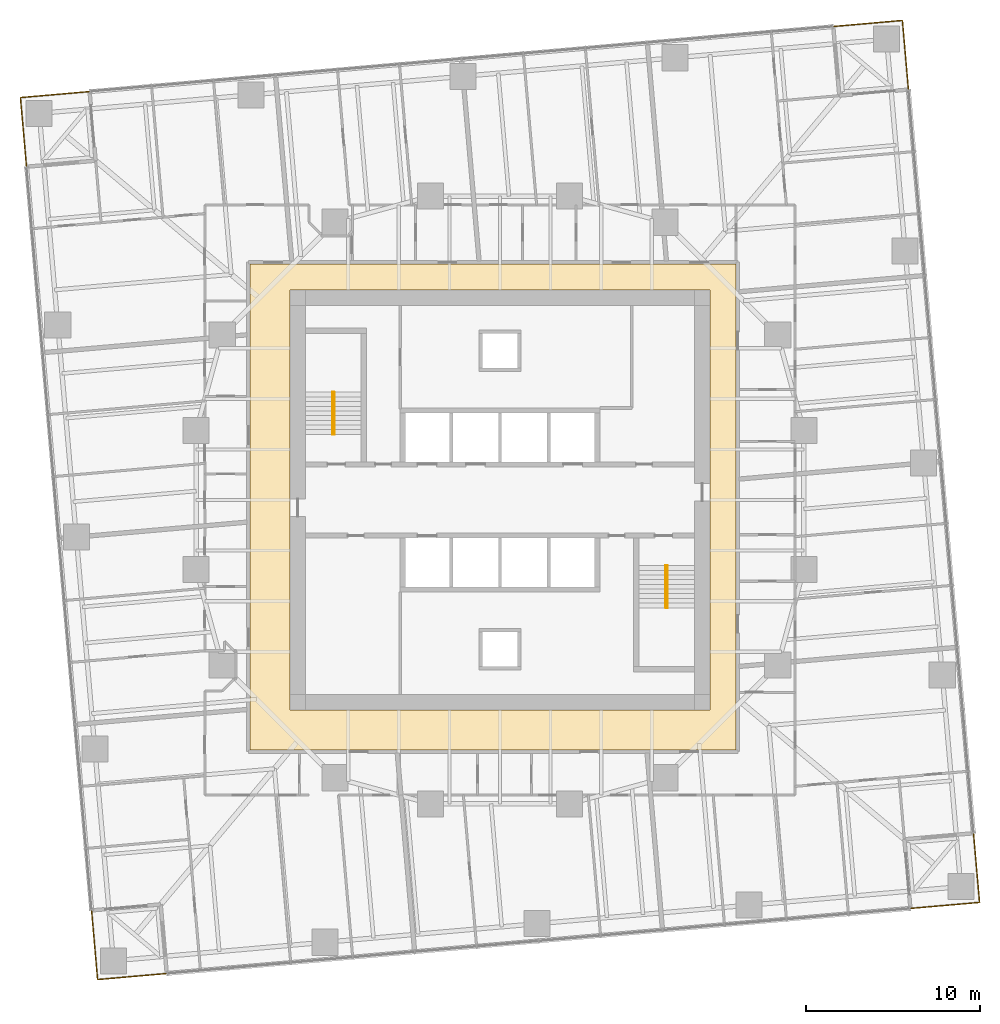
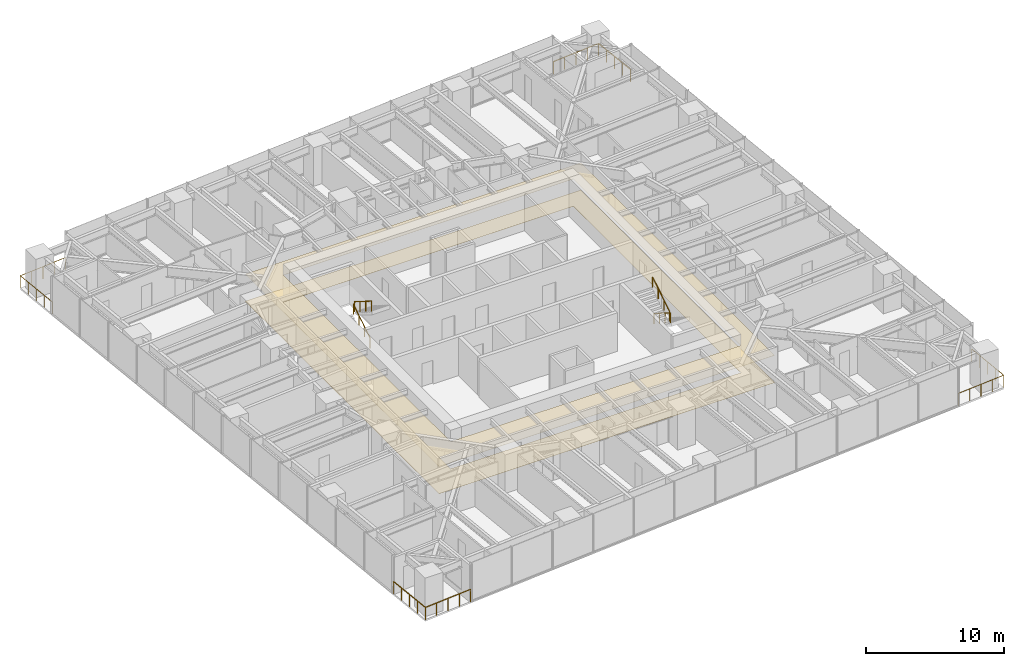
# One storey, part 14 of 14: 8 railings, 2 coverings, 2 elements without a shape of their own.
"""IFC4 building model written with IfcOpenShell, lengths in metres."""

import ifcopenshell
import ifcopenshell.guid

model = None  # the IFC model being written
_history = None  # IfcOwnerHistory: only IFC2X3 demands one
_inside = {}  # id of a spatial element -> (the spatial element, [elements in it])
_under = {}  # id of a project, library or spatial element -> (it, [spatial elements below it])
_declared = {}  # id of a project -> (the project, [libraries it declares])
_typed = {}  # id of a type object -> (the type object, [elements of that type])
_made_of = {}  # id of a material, layer set ... -> (it, [elements and type objects made of it])


def new_model(schema):
    """Start an empty IFC model of exactly this schema.

    Asked for "IFC4X3", IfcOpenShell would pick the latest addendum, in which some entities
    have other attributes; the version numbers below select the first issue.
    IFC2X3 requires an IfcOwnerHistory on every rooted entity: one is made here for all.
    """
    global model, _history
    if schema == "IFC4X3":
        model = ifcopenshell.file(schema_version=(4, 3, 0, 0))
    else:
        model = ifcopenshell.file(schema=schema)
    _inside.clear()
    _under.clear()
    _declared.clear()
    _typed.clear()
    _made_of.clear()
    _history = None
    if model.schema == "IFC2X3":
        org = make("IfcOrganization", Name="unknown")
        user = make(
            "IfcPersonAndOrganization",
            ThePerson=make("IfcPerson", FamilyName="unknown"),
            TheOrganization=org,
        )
        app = make(
            "IfcApplication",
            ApplicationDeveloper=org,
            Version="unknown",
            ApplicationFullName="unknown",
            ApplicationIdentifier="unknown",
        )
        _history = make(
            "IfcOwnerHistory",
            OwningUser=user,
            OwningApplication=app,
            ChangeAction="ADDED",
            CreationDate=0,
        )
    return model


def make(cls, **values):
    """One entity of the class cls with the attributes given. An attribute that is None is left unset."""
    return model.create_entity(
        cls, **{name: value for name, value in values.items() if value is not None}
    )


def rooted(cls, **values):
    """An entity with a GlobalId (a new one), such as an element, a storey or a relation."""
    return make(cls, GlobalId=ifcopenshell.guid.new(), OwnerHistory=_history, **values)


def si_unit(unit_type, name, prefix=None):
    """IfcSIUnit, for example si_unit("LENGTHUNIT", "METRE", prefix="MILLI")."""
    return make("IfcSIUnit", UnitType=unit_type, Prefix=prefix, Name=name)


def assignment(units):
    """IfcUnitAssignment: the units of a project."""
    return None if units is None else make("IfcUnitAssignment", Units=units)


def point(xyz):
    """IfcCartesianPoint."""
    return None if xyz is None else make("IfcCartesianPoint", Coordinates=xyz)


def direction(xyz):
    """IfcDirection."""
    return None if xyz is None else make("IfcDirection", DirectionRatios=xyz)


def frame(location, z_axis=None, x_axis=None):
    """IfcAxis2Placement3D, a coordinate frame: its origin and axes. An axis left out is left unset."""
    return make(
        "IfcAxis2Placement3D",
        Location=point(location),
        Axis=direction(z_axis),
        RefDirection=direction(x_axis),
    )


def frame_2d(location, x_axis=None):
    """IfcAxis2Placement2D, a coordinate frame in the plane: its origin and x axis."""
    return make(
        "IfcAxis2Placement2D", Location=point(location), RefDirection=direction(x_axis)
    )


def origin():
    """The frame at (0, 0, 0) with its axes left unset."""
    return frame((0.0, 0.0, 0.0))


def origin_2d():
    """The frame at (0, 0) in the plane with its x axis left unset."""
    return frame_2d((0.0, 0.0))


def place(relative_to, where):
    """IfcLocalPlacement: puts the frame where relative to a parent placement (None: the world)."""
    return make(
        "IfcLocalPlacement", PlacementRelTo=relative_to, RelativePlacement=where
    )


def context(
    kind, dimensions, precision=None, world=None, true_north=None, identifier=None
):
    """IfcGeometricRepresentationContext, for example the 3D "Model" context."""
    return make(
        "IfcGeometricRepresentationContext",
        ContextIdentifier=identifier,
        ContextType=kind,
        CoordinateSpaceDimension=dimensions,
        Precision=precision,
        WorldCoordinateSystem=world,
        TrueNorth=true_north,
    )


def subcontext(parent, identifier, kind, view, scale=None):
    """IfcGeometricRepresentationSubContext, for example "Body" below "Model"."""
    return make(
        "IfcGeometricRepresentationSubContext",
        ContextIdentifier=identifier,
        ContextType=kind,
        ParentContext=parent,
        TargetScale=scale,
        TargetView=view,
    )


def project(units=None, contexts=None):
    """IfcProject with its units and contexts."""
    return rooted(
        "IfcProject",
        Name="project",
        RepresentationContexts=contexts,
        UnitsInContext=assignment(units),
    )


def spatial(cls, under=None, at=None, **own):
    """A site, building, storey or space (cls), placed at a placement, below another one or the project."""
    s = rooted(cls, ObjectPlacement=at, **own)
    if under is not None:
        _under.setdefault(under.id(), (under, []))[1].append(s)
    return s


def polyline(points):
    """IfcPolyline through the points."""
    return make("IfcPolyline", Points=[point(p) for p in points])


def profile(cls, at=None, kind="AREA", **sizes):
    """A parametric profile (cls). Its sizes go by their IFC names, for example OverallWidth=200.0."""
    return make(cls, ProfileType=kind, Position=at, **sizes)


def circle(**sizes):
    """IfcCircleProfileDef."""
    return profile("IfcCircleProfileDef", **sizes)


def outline(outer, holes=None, kind="AREA"):
    """IfcArbitraryClosedProfileDef: a profile drawn as a closed curve; with holes, ...WithVoids."""
    if holes is None:
        return make("IfcArbitraryClosedProfileDef", ProfileType=kind, OuterCurve=outer)
    return make(
        "IfcArbitraryProfileDefWithVoids",
        ProfileType=kind,
        OuterCurve=outer,
        InnerCurves=holes,
    )


def extrude(swept, where, along, depth):
    """IfcExtrudedAreaSolid: the profile swept, set in the frame where, extruded along a direction by depth."""
    return make(
        "IfcExtrudedAreaSolid",
        SweptArea=swept,
        Position=where,
        ExtrudedDirection=direction(along),
        Depth=depth,
    )


def shape(context_of_items, identifier, shape_type, items):
    """IfcShapeRepresentation: the items that make up one representation, for example the "Body"."""
    return make(
        "IfcShapeRepresentation",
        ContextOfItems=context_of_items,
        RepresentationIdentifier=identifier,
        RepresentationType=shape_type,
        Items=items,
    )


def material(Name=None, Category=None):
    """IfcMaterial."""
    return make("IfcMaterial", Name=Name, Category=Category)


def layer(
    of_material, thickness, ventilated=None, Name=None, Category=None, Priority=None
):
    """IfcMaterialLayer: one layer of a wall or slab, of a material (None: an air gap)."""
    return make(
        "IfcMaterialLayer",
        Material=of_material,
        LayerThickness=thickness,
        IsVentilated=ventilated,
        Name=Name,
        Category=Category,
        Priority=Priority,
    )


def layer_set(layers, Name=None):
    """IfcMaterialLayerSet."""
    return make("IfcMaterialLayerSet", MaterialLayers=layers, LayerSetName=Name)


def made_of(thing, what):
    """Note that an element or type object is made of a material, layer set ...; save() writes the relation."""
    if what is not None:
        _made_of.setdefault(what.id(), (what, []))[1].append(thing)
    return thing


def type_object(cls, material=None, **own):
    """A type object (cls), such as IfcWallType, which elements share."""
    return made_of(rooted(cls, **own), material)


def element(
    cls,
    number,
    at=None,
    inside=None,
    cuts=None,
    type_object=None,
    material=None,
    context=None,
    identifier="Body",
    shape_type=None,
    held_by="IfcProductDefinitionShape",
    body=None,
    shapes=None,
    **own,
):
    """One element of the class cls, such as IfcWall. Its Tag is "e" and its number.

    at: its placement. inside: the storey or other place that contains it. cuts: it is an
    opening in that element (IfcRelVoidsElement). A single representation is given by context,
    identifier, shape_type and body (its items); several are given by shapes. held_by: the class
    of the entity that holds the representations. save() writes the other relations.
    """
    e = rooted(cls, Tag="e%d" % number, ObjectPlacement=at, **own)
    if body is not None:
        shapes = [shape(context, identifier, shape_type, body)]
    if shapes is not None:
        e.Representation = make(held_by, Representations=shapes)
    if inside is not None:
        _inside.setdefault(inside.id(), (inside, []))[1].append(e)
    if cuts is not None:
        rooted(
            "IfcRelVoidsElement", RelatingBuildingElement=cuts, RelatedOpeningElement=e
        )
    if type_object is not None:
        _typed.setdefault(type_object.id(), (type_object, []))[1].append(e)
    return made_of(e, material)


def aggregate(whole, parts):
    """IfcRelAggregates: a whole, such as a stair, and the parts it consists of."""
    return rooted("IfcRelAggregates", RelatingObject=whole, RelatedObjects=parts)


def save(model, path):
    """Write the relations noted so far, then the file.

    IfcRelAggregates (storeys below a building ...), IfcRelContainedInSpatialStructure (elements
    in a storey), IfcRelDefinesByType, IfcRelAssociatesMaterial and IfcRelDeclares: one each for
    every whole, place, type object, material and project.
    """
    for whole, parts in _under.values():
        aggregate(whole, parts)
    for where, things in _inside.values():
        rooted(
            "IfcRelContainedInSpatialStructure",
            RelatedElements=things,
            RelatingStructure=where,
        )
    for kind, things in _typed.values():
        rooted("IfcRelDefinesByType", RelatedObjects=things, RelatingType=kind)
    for what, things in _made_of.values():
        rooted("IfcRelAssociatesMaterial", RelatedObjects=things, RelatingMaterial=what)
    for by, libraries in _declared.values():
        rooted("IfcRelDeclares", RelatingContext=by, RelatedDefinitions=libraries)
    model.write(path)


model = new_model("IFC4")

# Units and contexts
model_context = context("Model", 3, precision=1e-05, world=origin(), true_north=direction((0.0, 1.0)))
body_context = subcontext(model_context, "Body", "Model", "MODEL_VIEW")
ifc_project = project(units=[si_unit("LENGTHUNIT", "METRE"), si_unit("AREAUNIT", "SQUARE_METRE"), si_unit("VOLUMEUNIT", "CUBIC_METRE"), si_unit("PLANEANGLEUNIT", "RADIAN"), si_unit("MASSUNIT", "GRAM", prefix="KILO")], contexts=[model_context])

# Site, building, storey
site_placement = place(None, origin())
site = spatial("IfcSite", under=ifc_project, at=site_placement, CompositionType="ELEMENT")
building_placement = place(site_placement, origin())
building = spatial("IfcBuilding", under=site, at=building_placement, Name="Torsade Residences", CompositionType="ELEMENT")
storey_placement = place(building_placement, frame((0.0, 0.0, 50.60009765625)))
storey = spatial("IfcBuildingStorey", under=building, at=storey_placement, Name="L13", CompositionType="ELEMENT", Elevation=50.60009765625)

# Coverings
ifc_material_1 = material(Name="Nylon carpet tile on underlay", Category="textile")
ifc_layer_1 = layer(ifc_material_1, 0.010009765625)
ifc_layer_set_1 = layer_set([ifc_layer_1], Name="Nylon carpet tile on underlay")
covering_type_1 = type_object("IfcCoveringType", Name="CORRIDOR CARPET TILE 10", PredefinedType="FLOORING", material=ifc_layer_set_1)
covering_1_placement = place(storey_placement, origin())
element("IfcCovering", 1, at=covering_1_placement, inside=storey, type_object=covering_type_1, Name="Corridor carpet L13", PredefinedType="FLOORING", context=body_context, shape_type="SweptSolid", body=[
    extrude(outline(polyline([(53.60009765625, 15.60009765625), (53.60009765625, 43.60009765625), (25.60009765625, 43.60009765625), (25.60009765625, 15.60009765625), (53.60009765625, 15.60009765625)]), holes=[polyline([(52.10009765625, 42.10009765625), (27.89990234375, 42.10009765625), (27.89990234375, 17.89990234375), (52.10009765625, 17.89990234375), (52.10009765625, 42.10009765625)])]), origin(), (0.0, 0.0, 1.0), 0.010009765625),
])
ifc_material_2 = material(Name="Plasterboard on suspended steel grid", Category="steel")
ifc_layer_2 = layer(ifc_material_2, 0.012939453125)
ifc_layer_set_2 = layer_set([ifc_layer_2], Name="Plasterboard on suspended steel grid")
covering_type_2 = type_object("IfcCoveringType", Name="CORRIDOR SUSPENDED CEILING 13", PredefinedType="CEILING", material=ifc_layer_set_2)
covering_2_placement = place(storey_placement, frame((0.0, 0.0, 2.39990234375)))
element("IfcCovering", 2, at=covering_2_placement, inside=storey, type_object=covering_type_2, Name="Corridor ceiling L13", PredefinedType="CEILING", context=body_context, shape_type="SweptSolid", body=[
    extrude(outline(polyline([(53.60009765625, 15.60009765625), (53.60009765625, 43.60009765625), (25.60009765625, 43.60009765625), (25.60009765625, 15.60009765625), (53.60009765625, 15.60009765625)]), holes=[polyline([(52.10009765625, 42.10009765625), (27.89990234375, 42.10009765625), (27.89990234375, 17.89990234375), (52.10009765625, 17.89990234375), (52.10009765625, 42.10009765625)])]), origin(), (0.0, 0.0, 1.0), 0.012939453125),
])

# Stair, railings
ifc_material_3 = material(Name="Precast concrete 40 MPa", Category="concrete")
stair_type = type_object("IfcStairType", Name="HALF-TURN FIRE STAIR 1500x3400", PredefinedType="HALF_TURN_STAIR", material=ifc_material_3)
stair_1_placement = place(storey_placement, origin())
stair_1 = element("IfcStair", 3, at=stair_1_placement, inside=storey, type_object=stair_type, Name="Stair ST1 L13", PredefinedType="HALF_TURN_STAIR")
ifc_material_4 = material(Name="Steel handrail", Category="steel")
railing_type_1 = type_object("IfcRailingType", Name="STAIR HANDRAIL 900", PredefinedType="HANDRAIL", material=ifc_material_4)
railing_1_placement = place(storey_placement, frame((30.35009765625, 33.780029296875, 0.169921875)))
railing_1 = element("IfcRailing", 4, at=railing_1_placement, type_object=railing_type_1, Name="Handrail ST1 flight 1 L13", PredefinedType="HANDRAIL", context=body_context, shape_type="SweptSolid", body=[
    extrude(circle(Radius=0.02392578125, at=origin_2d()), frame((0.0, 0.0, 0.8759765625), z_axis=(0.0, 0.846221481393, 0.532831309544), x_axis=(-1.0, 0.0, 0.0)), (0.0, 0.0, 1.0), 2.87158203125),
    extrude(circle(Radius=0.02099609375, at=origin_2d()), origin(), (0.0, 0.0, 1.0), 0.851806640625),
    extrude(circle(Radius=0.02099609375, at=origin_2d()), frame((0.0, 0.81005859375, 0.510009765625)), (0.0, 0.0, 1.0), 0.851806640625),
    extrude(circle(Radius=0.02099609375, at=origin_2d()), frame((0.0, 1.619873046875, 1.02001953125)), (0.0, 0.0, 1.0), 0.851806640625),
    extrude(circle(Radius=0.02099609375, at=origin_2d()), frame((0.0, 2.429931640625, 1.530029296875)), (0.0, 0.0, 1.0), 0.851806640625),
])
railing_2_placement = place(storey_placement, frame((30.449951171875, 36.2099609375, 1.869873046875)))
railing_2 = element("IfcRailing", 5, at=railing_2_placement, type_object=railing_type_1, Name="Handrail ST1 flight 2 L13", PredefinedType="HANDRAIL", context=body_context, shape_type="SweptSolid", body=[
    extrude(circle(Radius=0.02392578125, at=origin_2d()), frame((0.0, 0.0, 0.8759765625), z_axis=(0.0, -0.846221481393, 0.532831309544), x_axis=(1.0, 0.0, 0.0)), (0.0, 0.0, 1.0), 2.87158203125),
    extrude(circle(Radius=0.02099609375, at=origin_2d()), origin(), (0.0, 0.0, 1.0), 0.851806640625),
    extrude(circle(Radius=0.02099609375, at=origin_2d()), frame((0.0, -0.81005859375, 0.510009765625)), (0.0, 0.0, 1.0), 0.851806640625),
    extrude(circle(Radius=0.02099609375, at=origin_2d()), frame((0.0, -1.619873046875, 1.02001953125)), (0.0, 0.0, 1.0), 0.851806640625),
    extrude(circle(Radius=0.02099609375, at=origin_2d()), frame((0.0, -2.429931640625, 1.530029296875)), (0.0, 0.0, 1.0), 0.851806640625),
])
aggregate(stair_1, [railing_1, railing_2])

stair_2_placement = place(storey_placement, origin())
stair_2 = element("IfcStair", 6, at=stair_2_placement, inside=storey, type_object=stair_type, Name="Stair ST2 L13", PredefinedType="HALF_TURN_STAIR")
railing_3_placement = place(storey_placement, frame((49.64990234375, 26.219970703125, 0.169921875)))
railing_3 = element("IfcRailing", 7, at=railing_3_placement, type_object=railing_type_1, Name="Handrail ST2 flight 1 L13", PredefinedType="HANDRAIL", context=body_context, shape_type="SweptSolid", body=[
    extrude(circle(Radius=0.02392578125, at=origin_2d()), frame((0.0, 0.0, 0.8759765625), z_axis=(0.0, -0.846221481393, 0.532831309544), x_axis=(1.0, 0.0, 0.0)), (0.0, 0.0, 1.0), 2.87158203125),
    extrude(circle(Radius=0.02099609375, at=origin_2d()), origin(), (0.0, 0.0, 1.0), 0.851806640625),
    extrude(circle(Radius=0.02099609375, at=origin_2d()), frame((0.0, -0.81005859375, 0.510009765625)), (0.0, 0.0, 1.0), 0.851806640625),
    extrude(circle(Radius=0.02099609375, at=origin_2d()), frame((0.0, -1.619873046875, 1.02001953125)), (0.0, 0.0, 1.0), 0.851806640625),
    extrude(circle(Radius=0.02099609375, at=origin_2d()), frame((0.0, -2.429931640625, 1.530029296875)), (0.0, 0.0, 1.0), 0.851806640625),
])
railing_4_placement = place(storey_placement, frame((49.550048828125, 23.7900390625, 1.869873046875)))
railing_4 = element("IfcRailing", 8, at=railing_4_placement, type_object=railing_type_1, Name="Handrail ST2 flight 2 L13", PredefinedType="HANDRAIL", context=body_context, shape_type="SweptSolid", body=[
    extrude(circle(Radius=0.02392578125, at=origin_2d()), frame((0.0, 0.0, 0.8759765625), z_axis=(0.0, 0.846221481393, 0.532831309544), x_axis=(-1.0, 0.0, 0.0)), (0.0, 0.0, 1.0), 2.87158203125),
    extrude(circle(Radius=0.02099609375, at=origin_2d()), origin(), (0.0, 0.0, 1.0), 0.851806640625),
    extrude(circle(Radius=0.02099609375, at=origin_2d()), frame((0.0, 0.81005859375, 0.510009765625)), (0.0, 0.0, 1.0), 0.851806640625),
    extrude(circle(Radius=0.02099609375, at=origin_2d()), frame((0.0, 1.619873046875, 1.02001953125)), (0.0, 0.0, 1.0), 0.851806640625),
    extrude(circle(Radius=0.02099609375, at=origin_2d()), frame((0.0, 2.429931640625, 1.530029296875)), (0.0, 0.0, 1.0), 0.851806640625),
])
aggregate(stair_2, [railing_3, railing_4])

# Railings
ifc_material_5 = material(Name="Laminated glass balustrade", Category="glass")
railing_type_2 = type_object("IfcRailingType", Name="TERRACE GLASS BALUSTRADE 1100", PredefinedType="BALUSTRADE", material=ifc_material_5)
railing_5_placement = place(storey_placement, frame((63.640625, 6.470947265625, 0.0)))
element("IfcRailing", 9, at=railing_5_placement, inside=storey, type_object=railing_type_2, Name="Terrace balustrade SE L13", PredefinedType="BALUSTRADE", context=body_context, shape_type="SweptSolid", body=[
    extrude(circle(Radius=0.02392578125, at=origin_2d()), frame((0.0, 0.0, 1.076171875), z_axis=(0.99619464492, 0.087156350505, 0.0), x_axis=(-0.087156350505, 0.99619464492, 0.0)), (0.0, 0.0, 1.0), 4.0),
    extrude(circle(Radius=0.02392578125, at=origin_2d()), frame((3.98486328125, 0.3486328125, 1.076171875), z_axis=(-0.087161650072, 0.99619418125, 0.0), x_axis=(-0.99619418125, -0.087161650072, 0.0)), (0.0, 0.0, 1.0), 3.999755859375),
    extrude(circle(Radius=0.02099609375, at=origin_2d()), origin(), (0.0, 0.0, 1.0), 1.052001953125),
    extrude(circle(Radius=0.02099609375, at=origin_2d()), frame((0.99609375, 0.087158203125, 0.0)), (0.0, 0.0, 1.0), 1.052001953125),
    extrude(circle(Radius=0.02099609375, at=origin_2d()), frame((1.992431640625, 0.17431640625, 0.0)), (0.0, 0.0, 1.0), 1.052001953125),
    extrude(circle(Radius=0.02099609375, at=origin_2d()), frame((2.98876953125, 0.261474609375, 0.0)), (0.0, 0.0, 1.0), 1.052001953125),
    extrude(circle(Radius=0.02099609375, at=origin_2d()), frame((3.98486328125, 0.3486328125, 0.0)), (0.0, 0.0, 1.0), 1.052001953125),
    extrude(circle(Radius=0.02099609375, at=origin_2d()), frame((3.897705078125, 1.3447265625, 0.0)), (0.0, 0.0, 1.0), 1.052001953125),
    extrude(circle(Radius=0.02099609375, at=origin_2d()), frame((3.810546875, 2.3408203125, 0.0)), (0.0, 0.0, 1.0), 1.052001953125),
    extrude(circle(Radius=0.02099609375, at=origin_2d()), frame((3.723388671875, 3.337158203125, 0.0)), (0.0, 0.0, 1.0), 1.052001953125),
    extrude(circle(Radius=0.02099609375, at=origin_2d()), frame((3.63623046875, 4.333251953125, 0.0)), (0.0, 0.0, 1.0), 1.052001953125),
])
railing_6_placement = place(storey_placement, frame((63.529052734375, 53.640625, 0.0)))
element("IfcRailing", 10, at=railing_6_placement, inside=storey, type_object=railing_type_2, Name="Terrace balustrade NE L13", PredefinedType="BALUSTRADE", context=body_context, shape_type="SweptSolid", body=[
    extrude(circle(Radius=0.02392578125, at=origin_2d()), frame((0.0, 0.0, 1.076171875), z_axis=(-0.087156350505, 0.99619464492, 0.0), x_axis=(-0.99619464492, -0.087156350505, 0.0)), (0.0, 0.0, 1.0), 4.0),
    extrude(circle(Radius=0.02392578125, at=origin_2d()), frame((-0.3486328125, 3.98486328125, 1.076171875), z_axis=(-0.99619418125, -0.087161650072, 0.0), x_axis=(0.087161650072, -0.99619418125, 0.0)), (0.0, 0.0, 1.0), 3.999755859375),
    extrude(circle(Radius=0.02099609375, at=origin_2d()), origin(), (0.0, 0.0, 1.0), 1.052001953125),
    extrude(circle(Radius=0.02099609375, at=origin_2d()), frame((-0.087158203125, 0.99609375, 0.0)), (0.0, 0.0, 1.0), 1.052001953125),
    extrude(circle(Radius=0.02099609375, at=origin_2d()), frame((-0.17431640625, 1.992431640625, 0.0)), (0.0, 0.0, 1.0), 1.052001953125),
    extrude(circle(Radius=0.02099609375, at=origin_2d()), frame((-0.261474609375, 2.98876953125, 0.0)), (0.0, 0.0, 1.0), 1.052001953125),
    extrude(circle(Radius=0.02099609375, at=origin_2d()), frame((-0.3486328125, 3.98486328125, 0.0)), (0.0, 0.0, 1.0), 1.052001953125),
    extrude(circle(Radius=0.02099609375, at=origin_2d()), frame((-1.3447265625, 3.897705078125, 0.0)), (0.0, 0.0, 1.0), 1.052001953125),
    extrude(circle(Radius=0.02099609375, at=origin_2d()), frame((-2.3408203125, 3.810546875, 0.0)), (0.0, 0.0, 1.0), 1.052001953125),
    extrude(circle(Radius=0.02099609375, at=origin_2d()), frame((-3.337158203125, 3.723388671875, 0.0)), (0.0, 0.0, 1.0), 1.052001953125),
    extrude(circle(Radius=0.02099609375, at=origin_2d()), frame((-4.333251953125, 3.63623046875, 0.0)), (0.0, 0.0, 1.0), 1.052001953125),
])
railing_7_placement = place(storey_placement, frame((16.359375, 53.529052734375, 0.0)))
element("IfcRailing", 11, at=railing_7_placement, inside=storey, type_object=railing_type_2, Name="Terrace balustrade NW L13", PredefinedType="BALUSTRADE", context=body_context, shape_type="SweptSolid", body=[
    extrude(circle(Radius=0.02392578125, at=origin_2d()), frame((0.0, 0.0, 1.076171875), z_axis=(-0.99619464492, -0.087156350505, 0.0), x_axis=(0.087156350505, -0.99619464492, 0.0)), (0.0, 0.0, 1.0), 4.0),
    extrude(circle(Radius=0.02392578125, at=origin_2d()), frame((-3.98486328125, -0.3486328125, 1.076171875), z_axis=(0.087161650072, -0.99619418125, 0.0), x_axis=(0.99619418125, 0.087161650072, 0.0)), (0.0, 0.0, 1.0), 3.999755859375),
    extrude(circle(Radius=0.02099609375, at=origin_2d()), origin(), (0.0, 0.0, 1.0), 1.052001953125),
    extrude(circle(Radius=0.02099609375, at=origin_2d()), frame((-0.99609375, -0.087158203125, 0.0)), (0.0, 0.0, 1.0), 1.052001953125),
    extrude(circle(Radius=0.02099609375, at=origin_2d()), frame((-1.992431640625, -0.17431640625, 0.0)), (0.0, 0.0, 1.0), 1.052001953125),
    extrude(circle(Radius=0.02099609375, at=origin_2d()), frame((-2.98876953125, -0.261474609375, 0.0)), (0.0, 0.0, 1.0), 1.052001953125),
    extrude(circle(Radius=0.02099609375, at=origin_2d()), frame((-3.98486328125, -0.3486328125, 0.0)), (0.0, 0.0, 1.0), 1.052001953125),
    extrude(circle(Radius=0.02099609375, at=origin_2d()), frame((-3.897705078125, -1.3447265625, 0.0)), (0.0, 0.0, 1.0), 1.052001953125),
    extrude(circle(Radius=0.02099609375, at=origin_2d()), frame((-3.810546875, -2.3408203125, 0.0)), (0.0, 0.0, 1.0), 1.052001953125),
    extrude(circle(Radius=0.02099609375, at=origin_2d()), frame((-3.723388671875, -3.337158203125, 0.0)), (0.0, 0.0, 1.0), 1.052001953125),
    extrude(circle(Radius=0.02099609375, at=origin_2d()), frame((-3.63623046875, -4.333251953125, 0.0)), (0.0, 0.0, 1.0), 1.052001953125),
])
railing_8_placement = place(storey_placement, frame((16.470947265625, 6.359375, 0.0)))
element("IfcRailing", 12, at=railing_8_placement, inside=storey, type_object=railing_type_2, Name="Terrace balustrade SW L13", PredefinedType="BALUSTRADE", context=body_context, shape_type="SweptSolid", body=[
    extrude(circle(Radius=0.02392578125, at=origin_2d()), frame((0.0, 0.0, 1.076171875), z_axis=(0.087156350505, -0.99619464492, 0.0), x_axis=(0.99619464492, 0.087156350505, 0.0)), (0.0, 0.0, 1.0), 4.0),
    extrude(circle(Radius=0.02392578125, at=origin_2d()), frame((0.3486328125, -3.98486328125, 1.076171875), z_axis=(0.99619418125, 0.087161650072, 0.0), x_axis=(-0.087161650072, 0.99619418125, 0.0)), (0.0, 0.0, 1.0), 3.999755859375),
    extrude(circle(Radius=0.02099609375, at=origin_2d()), origin(), (0.0, 0.0, 1.0), 1.052001953125),
    extrude(circle(Radius=0.02099609375, at=origin_2d()), frame((0.087158203125, -0.99609375, 0.0)), (0.0, 0.0, 1.0), 1.052001953125),
    extrude(circle(Radius=0.02099609375, at=origin_2d()), frame((0.17431640625, -1.992431640625, 0.0)), (0.0, 0.0, 1.0), 1.052001953125),
    extrude(circle(Radius=0.02099609375, at=origin_2d()), frame((0.261474609375, -2.98876953125, 0.0)), (0.0, 0.0, 1.0), 1.052001953125),
    extrude(circle(Radius=0.02099609375, at=origin_2d()), frame((0.3486328125, -3.98486328125, 0.0)), (0.0, 0.0, 1.0), 1.052001953125),
    extrude(circle(Radius=0.02099609375, at=origin_2d()), frame((1.3447265625, -3.897705078125, 0.0)), (0.0, 0.0, 1.0), 1.052001953125),
    extrude(circle(Radius=0.02099609375, at=origin_2d()), frame((2.3408203125, -3.810546875, 0.0)), (0.0, 0.0, 1.0), 1.052001953125),
    extrude(circle(Radius=0.02099609375, at=origin_2d()), frame((3.337158203125, -3.723388671875, 0.0)), (0.0, 0.0, 1.0), 1.052001953125),
    extrude(circle(Radius=0.02099609375, at=origin_2d()), frame((4.333251953125, -3.63623046875, 0.0)), (0.0, 0.0, 1.0), 1.052001953125),
])

save(model, "model.ifc")
